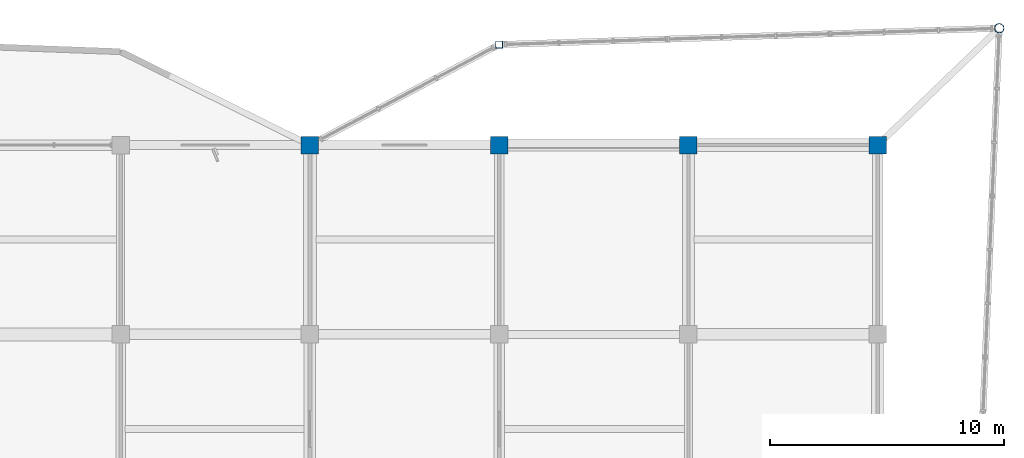
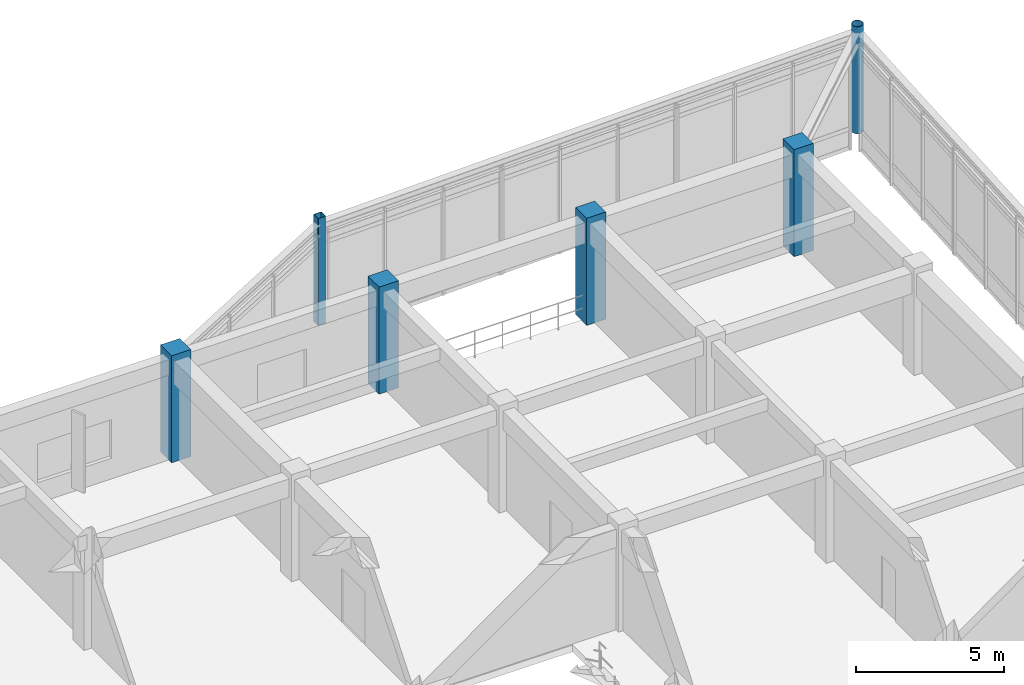
# One storey, part 13 of 70: 6 columns.
"""IFC4 building model written with IfcOpenShell, lengths in metres."""

from ifc_helpers import new_model, si_unit, direction, frame, origin, origin_2d, place, context, subcontext, project, spatial, rectangle, hollow_rectangle, hollow_circle, extrude, material, material_profile, profile_set, type_object, element, save


model = new_model("IFC4")

# Units and contexts
model_context = context("Model", 3, precision=1e-05, world=origin(), true_north=direction((0.0, 1.0)))
body_context = subcontext(model_context, "Body", "Model", "MODEL_VIEW")
ifc_project = project(units=[si_unit("LENGTHUNIT", "METRE"), si_unit("AREAUNIT", "SQUARE_METRE"), si_unit("VOLUMEUNIT", "CUBIC_METRE"), si_unit("PLANEANGLEUNIT", "RADIAN"), si_unit("MASSUNIT", "GRAM", prefix="KILO")], contexts=[model_context])

# Site, building, storey
site_placement = place(None, origin())
site = spatial("IfcSite", under=ifc_project, at=site_placement, CompositionType="ELEMENT")
building_placement = place(site_placement, origin())
building = spatial("IfcBuilding", under=site, at=building_placement, Name="Vaudrelin Polytechnic", CompositionType="ELEMENT")
storey_placement = place(building_placement, frame((0.0, 0.0, 14.110107421875)))
storey = spatial("IfcBuildingStorey", under=building, at=storey_placement, Name="L03", CompositionType="ELEMENT", Elevation=14.110107421875)

# Columns
ifc_material_1 = material(Name="Steel CSA G40.21 350WT", Category="steel")
ifc_material_profile_1 = material_profile(ifc_material_1, hollow_rectangle(XDim=0.304931640625, YDim=0.304931640625, WallThickness=0.0126953125, InnerFilletRadius=0.0126953125, OuterFilletRadius=0.025390625, at=origin_2d()), Name="HSS305x305x12.7")
ifc_profile_set_1 = profile_set([ifc_material_profile_1], Name="Steel CSA G40.21 350WT")
column_type_1 = type_object("IfcColumnType", Name="COL-C-HSS305", PredefinedType="COLUMN", material=ifc_profile_set_1)
column_1_placement = place(storey_placement, frame((153.89990234375, 125.800048828125, 0.0), z_axis=(0.0, 0.0, 1.0), x_axis=(1.0, 0.0, 0.0)))
element("IfcColumn", 1, at=column_1_placement, inside=storey, type_object=column_type_1, Name="Deconstructivist column L03 NE_N", PredefinedType="COLUMN", context=body_context, shape_type="SweptSolid", body=[
    extrude(hollow_rectangle(XDim=0.304931640625, YDim=0.304931640625, WallThickness=0.0126953125, InnerFilletRadius=0.0126953125, OuterFilletRadius=0.025390625, at=origin_2d()), origin(), (0.0, 0.0, 1.0), 4.419921875),
])
ifc_material_2 = material(Name="Concrete 50 MPa", Category="concrete")
ifc_material_profile_2 = material_profile(ifc_material_2, rectangle(XDim=0.75, YDim=0.75, at=origin_2d()), Name="RC750x750")
ifc_profile_set_2 = profile_set([ifc_material_profile_2], Name="Concrete 50 MPa")
column_type_2 = type_object("IfcColumnType", Name="COL-C-RC750", PredefinedType="COLUMN", material=ifc_profile_set_2)
for number, where, z_axis, x_axis, name in (
    (2, (145.800048828125, 121.5, 0.0), (0.0, 0.0, 1.0), (1.0, 0.0, 0.0), "Column L03 19-16"),
    (3, (153.89990234375, 121.5, 0.0), (0.0, 0.0, 1.0), (1.0, 0.0, 0.0), "Column L03 20-16"),
    (4, (162.0, 121.5, 0.0), (0.0, 0.0, 1.0), (1.0, 0.0, 0.0), "Column L03 21-16"),
    (5, (170.10009765625, 121.5, 0.0), (0.0, 0.0, 1.0), (1.0, 0.0, 0.0), "Column L03 22-16"),
):
    element("IfcColumn", number, at=place(storey_placement, frame(where, z_axis=z_axis, x_axis=x_axis)), inside=storey, type_object=column_type_2, Name=name, PredefinedType="COLUMN", context=body_context, shape_type="SweptSolid", body=[
        extrude(rectangle(XDim=0.75, YDim=0.75, at=origin_2d()), origin(), (0.0, 0.0, 1.0), 4.419921875),
    ])
ifc_material_profile_3 = material_profile(ifc_material_1, hollow_circle(Radius=0.203125, WallThickness=0.015869140625, at=origin_2d()), Name="CHS406.4x15.9")
ifc_profile_set_3 = profile_set([ifc_material_profile_3], Name="Steel CSA G40.21 350WT")
column_type_3 = type_object("IfcColumnType", Name="COL-C-TR406", PredefinedType="COLUMN", material=ifc_profile_set_3)
column_2_placement = place(storey_placement, frame((175.300048828125, 126.5, 0.0), z_axis=(0.0, 0.0, 1.0), x_axis=(1.0, 0.0, 0.0)))
element("IfcColumn", 6, at=column_2_placement, inside=storey, type_object=column_type_3, Name="Deconstructivist column L03 NE_APX", PredefinedType="COLUMN", context=body_context, shape_type="SweptSolid", body=[
    extrude(hollow_circle(Radius=0.203125, WallThickness=0.015869140625, at=origin_2d()), origin(), (0.0, 0.0, 1.0), 4.419921875),
])

save(model, "model.ifc")
